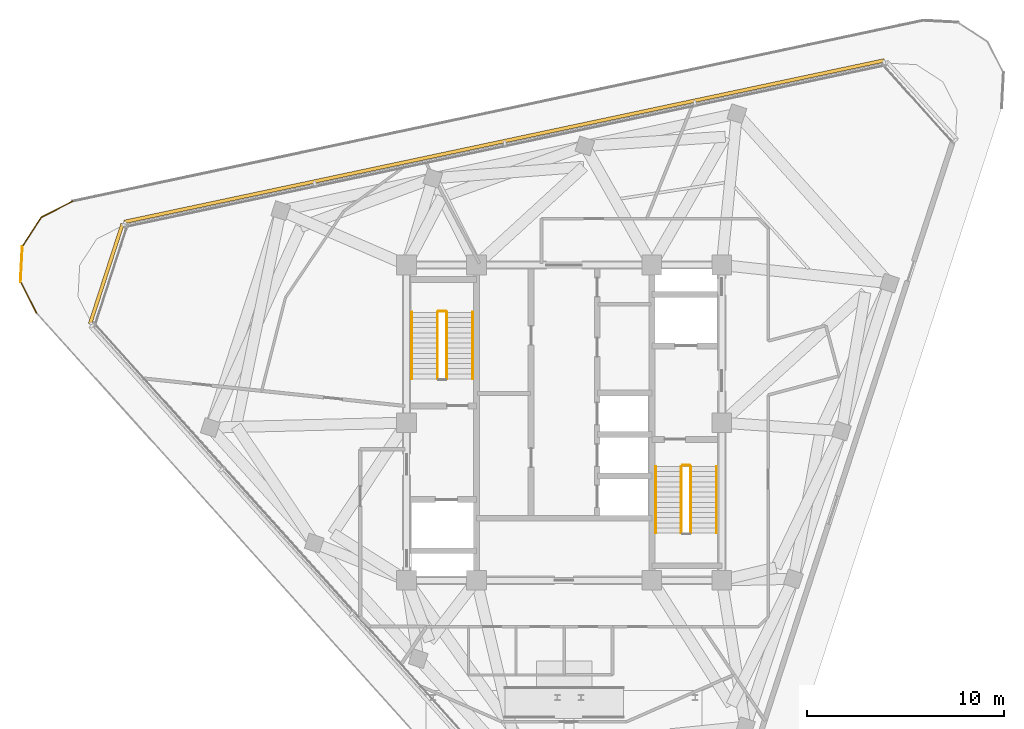
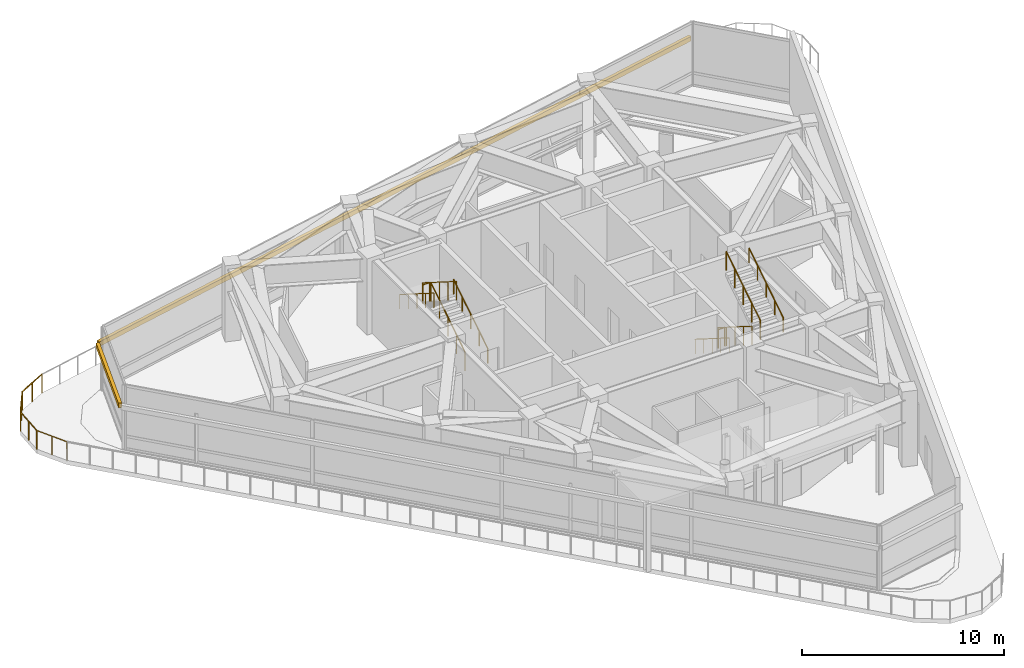
# One storey, part 13 of 15: 14 railings, 2 shading devices.
"""IFC4 building model written with IfcOpenShell, lengths in metres."""

from ifc_helpers import new_model, si_unit, direction, frame, origin, origin_2d, place, context, subcontext, project, spatial, rectangle, circle, extrude, material, layer, layer_set, type_object, element, save


model = new_model("IFC4")

# Units and contexts
model_context = context("Model", 3, precision=1e-05, world=origin(), true_north=direction((0.0, 1.0)))
body_context = subcontext(model_context, "Body", "Model", "MODEL_VIEW")
ifc_project = project(units=[si_unit("LENGTHUNIT", "METRE"), si_unit("AREAUNIT", "SQUARE_METRE"), si_unit("VOLUMEUNIT", "CUBIC_METRE"), si_unit("PLANEANGLEUNIT", "RADIAN"), si_unit("MASSUNIT", "GRAM", prefix="KILO")], contexts=[model_context])

# Site, building, storey
site_placement = place(None, origin())
site = spatial("IfcSite", under=ifc_project, at=site_placement, CompositionType="ELEMENT")
building_placement = place(site_placement, origin())
building = spatial("IfcBuilding", under=site, at=building_placement, Name="Terralouvre Media Tower", CompositionType="ELEMENT")
storey_placement = place(building_placement, frame((0.0, 0.0, 312.800048828125)))
storey = spatial("IfcBuildingStorey", under=building, at=storey_placement, Name="L81", CompositionType="ELEMENT", Elevation=312.800048828125)

# Railings
ifc_material_1 = material(Name="Stainless steel 316 handrail and balustrade", Category="steel")
ifc_layer_1 = layer(ifc_material_1, 0.06005859375, Name="Roof Edge Safety Guardrail GR-ROOF1")
ifc_layer_set_1 = layer_set([ifc_layer_1], Name="Stainless steel 316 handrail and balustrade")
railing_type_1 = type_object("IfcRailingType", Name="Roof Edge Safety Guardrail GR-ROOF1", PredefinedType="GUARDRAIL", material=ifc_layer_set_1)
railing_1_placement = place(storey_placement, frame((-24.941162109375, 11.236328125, 0.0)))
element("IfcRailing", 1, at=railing_1_placement, inside=storey, type_object=railing_type_1, Name="L81 Crown Roof Garden Perimeter Balustrade Edge 11", PredefinedType="GUARDRAIL", context=body_context, shape_type="SweptSolid", body=[
    extrude(circle(Radius=0.02392578125, at=origin_2d()), frame((0.0, 0.0, 1.1259765625), z_axis=(-0.891029033742, -0.453946319545, 0.0), x_axis=(0.453946319545, -0.891029033742, 0.0)), (0.0, 0.0, 1.0), 1.78076171875),
    extrude(circle(Radius=0.02099609375, at=origin_2d()), origin(), (0.0, 0.0, 1.0), 1.101806640625),
    extrude(circle(Radius=0.02099609375, at=origin_2d()), frame((-0.79345703125, -0.404296875, 0.0)), (0.0, 0.0, 1.0), 1.101806640625),
    extrude(circle(Radius=0.02099609375, at=origin_2d()), frame((-1.586669921875, -0.808349609375, 0.0)), (0.0, 0.0, 1.0), 1.101806640625),
])
railing_2_placement = place(storey_placement, frame((-26.52783203125, 10.427978515625, 0.0)))
element("IfcRailing", 2, at=railing_2_placement, inside=storey, type_object=railing_type_1, Name="L81 Crown Roof Garden Perimeter Balustrade Edge 12", PredefinedType="GUARDRAIL", context=body_context, shape_type="SweptSolid", body=[
    extrude(circle(Radius=0.02392578125, at=origin_2d()), frame((0.0, 0.0, 1.1259765625), z_axis=(-0.544597927768, -0.838697261872, 0.0), x_axis=(0.838697261872, -0.544597927768, 0.0)), (0.0, 0.0, 1.0), 1.780517578125),
    extrude(circle(Radius=0.02099609375, at=origin_2d()), origin(), (0.0, 0.0, 1.0), 1.101806640625),
    extrude(circle(Radius=0.02099609375, at=origin_2d()), frame((-0.48486328125, -0.74658203125, 0.0)), (0.0, 0.0, 1.0), 1.101806640625),
    extrude(circle(Radius=0.02099609375, at=origin_2d()), frame((-0.9697265625, -1.493408203125, 0.0)), (0.0, 0.0, 1.0), 1.101806640625),
])
railing_3_placement = place(storey_placement, frame((-27.49755859375, 8.9345703125, 0.0)))
element("IfcRailing", 3, at=railing_3_placement, inside=storey, type_object=railing_type_1, Name="L81 Crown Roof Garden Perimeter Balustrade Edge 13", PredefinedType="GUARDRAIL", context=body_context, shape_type="SweptSolid", body=[
    extrude(circle(Radius=0.02392578125, at=origin_2d()), frame((0.0, 0.0, 1.1259765625), z_axis=(-0.052371741573, -0.998627658682, 0.0), x_axis=(0.998627658682, -0.052371741573, 0.0)), (0.0, 0.0, 1.0), 1.78076171875),
    extrude(circle(Radius=0.02099609375, at=origin_2d()), origin(), (0.0, 0.0, 1.0), 1.101806640625),
    extrude(circle(Radius=0.02099609375, at=origin_2d()), frame((-0.046630859375, -0.88916015625, 0.0)), (0.0, 0.0, 1.0), 1.101806640625),
    extrude(circle(Radius=0.02099609375, at=origin_2d()), frame((-0.09326171875, -1.7783203125, 0.0)), (0.0, 0.0, 1.0), 1.101806640625),
])
railing_4_placement = place(storey_placement, frame((-27.5908203125, 7.15625, 0.0)))
element("IfcRailing", 4, at=railing_4_placement, inside=storey, type_object=railing_type_1, Name="L81 Crown Roof Garden Perimeter Balustrade Edge 14", PredefinedType="GUARDRAIL", context=body_context, shape_type="SweptSolid", body=[
    extrude(circle(Radius=0.02392578125, at=origin_2d()), frame((0.0, 0.0, 1.1259765625), z_axis=(0.453946319545, -0.891029033742, 0.0), x_axis=(0.891029033742, 0.453946319545, 0.0)), (0.0, 0.0, 1.0), 1.78076171875),
    extrude(circle(Radius=0.02099609375, at=origin_2d()), origin(), (0.0, 0.0, 1.0), 1.101806640625),
    extrude(circle(Radius=0.02099609375, at=origin_2d()), frame((0.404296875, -0.79345703125, 0.0)), (0.0, 0.0, 1.0), 1.101806640625),
    extrude(circle(Radius=0.02099609375, at=origin_2d()), frame((0.808349609375, -1.586669921875, 0.0)), (0.0, 0.0, 1.0), 1.101806640625),
])
ifc_material_2 = material(Name="Stainless steel 316 handrail and balustrade", Category="steel")
ifc_layer_2 = layer(ifc_material_2, 0.050048828125, Name="Stair Flight Wall Handrail HR-INT1")
ifc_layer_set_2 = layer_set([ifc_layer_2], Name="Stainless steel 316 handrail and balustrade")
railing_type_2 = type_object("IfcRailingType", Name="Stair Flight Wall Handrail HR-INT1", PredefinedType="HANDRAIL", material=ifc_layer_set_2)
railing_5_placement = place(storey_placement, frame((-4.64990234375, 2.219970703125, 0.164306640625)))
element("IfcRailing", 5, at=railing_5_placement, inside=storey, type_object=railing_type_2, Name="L81 ST-01 stair handrail 1", PredefinedType="HANDRAIL", context=body_context, shape_type="SweptSolid", body=[
    extrude(circle(Radius=0.02392578125, at=origin_2d()), frame((0.0, 0.0, 0.8759765625), z_axis=(0.0, 0.845384418764, 0.534158388974), x_axis=(-1.0, 0.0, 0.0)), (0.0, 0.0, 1.0), 3.998291015625),
    extrude(circle(Radius=0.02099609375, at=origin_2d()), origin(), (0.0, 0.0, 1.0), 0.851806640625),
    extrude(circle(Radius=0.02099609375, at=origin_2d()), frame((0.0, 0.844970703125, 0.533935546875)), (0.0, 0.0, 1.0), 0.851806640625),
    extrude(circle(Radius=0.02099609375, at=origin_2d()), frame((0.0, 1.68994140625, 1.06787109375)), (0.0, 0.0, 1.0), 0.851806640625),
    extrude(circle(Radius=0.02099609375, at=origin_2d()), frame((0.0, 2.53515625, 1.601806640625)), (0.0, 0.0, 1.0), 0.851806640625),
    extrude(circle(Radius=0.02099609375, at=origin_2d()), frame((0.0, 3.380126953125, 2.1357421875)), (0.0, 0.0, 1.0), 0.851806640625),
])
railing_6_placement = place(storey_placement, frame((-7.72998046875, 5.60009765625, 2.46435546875)))
element("IfcRailing", 6, at=railing_6_placement, inside=storey, type_object=railing_type_2, Name="L81 ST-01 stair handrail 2", PredefinedType="HANDRAIL", context=body_context, shape_type="SweptSolid", body=[
    extrude(circle(Radius=0.02392578125, at=origin_2d()), frame((0.0, 0.0, 0.8759765625), z_axis=(0.0, -0.845411991635, 0.534114748345), x_axis=(1.0, 0.0, 0.0)), (0.0, 0.0, 1.0), 3.998291015625),
    extrude(circle(Radius=0.02099609375, at=origin_2d()), origin(), (0.0, 0.0, 1.0), 0.851806640625),
    extrude(circle(Radius=0.02099609375, at=origin_2d()), frame((0.0, -0.844970703125, 0.533935546875)), (0.0, 0.0, 1.0), 0.851806640625),
    extrude(circle(Radius=0.02099609375, at=origin_2d()), frame((0.0, -1.68994140625, 1.06787109375)), (0.0, 0.0, 1.0), 0.851806640625),
    extrude(circle(Radius=0.02099609375, at=origin_2d()), frame((0.0, -2.53515625, 1.6015625)), (0.0, 0.0, 1.0), 0.851806640625),
    extrude(circle(Radius=0.02099609375, at=origin_2d()), frame((0.0, -3.380126953125, 2.135498046875)), (0.0, 0.0, 1.0), 0.851806640625),
])
railing_7_placement = place(storey_placement, frame((4.64990234375, -2.219970703125, 0.164306640625)))
element("IfcRailing", 7, at=railing_7_placement, inside=storey, type_object=railing_type_2, Name="L81 ST-02 stair handrail 1", PredefinedType="HANDRAIL", context=body_context, shape_type="SweptSolid", body=[
    extrude(circle(Radius=0.02392578125, at=origin_2d()), frame((0.0, 0.0, 0.8759765625), z_axis=(0.0, -0.845384418764, 0.534158388974), x_axis=(1.0, 0.0, 0.0)), (0.0, 0.0, 1.0), 3.998291015625),
    extrude(circle(Radius=0.02099609375, at=origin_2d()), origin(), (0.0, 0.0, 1.0), 0.851806640625),
    extrude(circle(Radius=0.02099609375, at=origin_2d()), frame((0.0, -0.844970703125, 0.533935546875)), (0.0, 0.0, 1.0), 0.851806640625),
    extrude(circle(Radius=0.02099609375, at=origin_2d()), frame((0.0, -1.68994140625, 1.06787109375)), (0.0, 0.0, 1.0), 0.851806640625),
    extrude(circle(Radius=0.02099609375, at=origin_2d()), frame((0.0, -2.53515625, 1.601806640625)), (0.0, 0.0, 1.0), 0.851806640625),
    extrude(circle(Radius=0.02099609375, at=origin_2d()), frame((0.0, -3.380126953125, 2.1357421875)), (0.0, 0.0, 1.0), 0.851806640625),
])
railing_8_placement = place(storey_placement, frame((7.72998046875, -5.60009765625, 2.46435546875)))
element("IfcRailing", 8, at=railing_8_placement, inside=storey, type_object=railing_type_2, Name="L81 ST-02 stair handrail 2", PredefinedType="HANDRAIL", context=body_context, shape_type="SweptSolid", body=[
    extrude(circle(Radius=0.02392578125, at=origin_2d()), frame((0.0, 0.0, 0.8759765625), z_axis=(0.0, 0.845411991635, 0.534114748345), x_axis=(-1.0, 0.0, 0.0)), (0.0, 0.0, 1.0), 3.998291015625),
    extrude(circle(Radius=0.02099609375, at=origin_2d()), origin(), (0.0, 0.0, 1.0), 0.851806640625),
    extrude(circle(Radius=0.02099609375, at=origin_2d()), frame((0.0, 0.844970703125, 0.533935546875)), (0.0, 0.0, 1.0), 0.851806640625),
    extrude(circle(Radius=0.02099609375, at=origin_2d()), frame((0.0, 1.68994140625, 1.06787109375)), (0.0, 0.0, 1.0), 0.851806640625),
    extrude(circle(Radius=0.02099609375, at=origin_2d()), frame((0.0, 2.53515625, 1.6015625)), (0.0, 0.0, 1.0), 0.851806640625),
    extrude(circle(Radius=0.02099609375, at=origin_2d()), frame((0.0, 3.380126953125, 2.135498046875)), (0.0, 0.0, 1.0), 0.851806640625),
])
ifc_material_3 = material(Name="Stainless steel 316 handrail and balustrade", Category="steel")
ifc_layer_3 = layer(ifc_material_3, 0.050048828125, Name="Stairwell Safety Guardrail GR-INT1")
ifc_layer_set_3 = layer_set([ifc_layer_3], Name="Stainless steel 316 handrail and balustrade")
railing_type_3 = type_object("IfcRailingType", Name="Stairwell Safety Guardrail GR-INT1", PredefinedType="GUARDRAIL", material=ifc_layer_set_3)
railing_9_placement = place(storey_placement, frame((-5.949951171875, 2.219970703125, 0.164306640625)))
element("IfcRailing", 9, at=railing_9_placement, inside=storey, type_object=railing_type_3, Name="L81 ST-01 stair guard 1", PredefinedType="GUARDRAIL", context=body_context, shape_type="SweptSolid", body=[
    extrude(circle(Radius=0.02392578125, at=origin_2d()), frame((0.0, 0.0, 1.1259765625), z_axis=(0.0, 0.845384418764, 0.534158388974), x_axis=(-1.0, 0.0, 0.0)), (0.0, 0.0, 1.0), 3.998291015625),
    extrude(circle(Radius=0.02099609375, at=origin_2d()), origin(), (0.0, 0.0, 1.0), 1.101806640625),
    extrude(circle(Radius=0.02099609375, at=origin_2d()), frame((0.0, 0.844970703125, 0.533935546875)), (0.0, 0.0, 1.0), 1.101806640625),
    extrude(circle(Radius=0.02099609375, at=origin_2d()), frame((0.0, 1.68994140625, 1.06787109375)), (0.0, 0.0, 1.0), 1.101806640625),
    extrude(circle(Radius=0.02099609375, at=origin_2d()), frame((0.0, 2.53515625, 1.601806640625)), (0.0, 0.0, 1.0), 1.101806640625),
    extrude(circle(Radius=0.02099609375, at=origin_2d()), frame((0.0, 3.380126953125, 2.1357421875)), (0.0, 0.0, 1.0), 1.101806640625),
])
railing_10_placement = place(storey_placement, frame((-6.0, 5.64990234375, 2.300048828125)))
element("IfcRailing", 10, at=railing_10_placement, inside=storey, type_object=railing_type_3, Name="L81 ST-01 stair guard 2", PredefinedType="GUARDRAIL", context=body_context, shape_type="SweptSolid", body=[
    extrude(circle(Radius=0.02392578125, at=origin_2d()), frame((0.0, 0.0, 1.1259765625), z_axis=(-1.0, 0.0, 0.0), x_axis=(0.0, -1.0, 0.0)), (0.0, 0.0, 1.0), 0.3798828125),
    extrude(circle(Radius=0.02099609375, at=origin_2d()), origin(), (0.0, 0.0, 1.0), 1.101806640625),
    extrude(circle(Radius=0.02099609375, at=origin_2d()), frame((-0.3798828125, 0.0, 0.0)), (0.0, 0.0, 1.0), 1.101806640625),
])
railing_11_placement = place(storey_placement, frame((-6.429931640625, 5.60009765625, 2.46435546875)))
element("IfcRailing", 11, at=railing_11_placement, inside=storey, type_object=railing_type_3, Name="L81 ST-01 stair guard 3", PredefinedType="GUARDRAIL", context=body_context, shape_type="SweptSolid", body=[
    extrude(circle(Radius=0.02392578125, at=origin_2d()), frame((0.0, 0.0, 1.1259765625), z_axis=(0.0, -0.845411991635, 0.534114748345), x_axis=(1.0, 0.0, 0.0)), (0.0, 0.0, 1.0), 3.998291015625),
    extrude(circle(Radius=0.02099609375, at=origin_2d()), origin(), (0.0, 0.0, 1.0), 1.101806640625),
    extrude(circle(Radius=0.02099609375, at=origin_2d()), frame((0.0, -0.844970703125, 0.533935546875)), (0.0, 0.0, 1.0), 1.101806640625),
    extrude(circle(Radius=0.02099609375, at=origin_2d()), frame((0.0, -1.68994140625, 1.06787109375)), (0.0, 0.0, 1.0), 1.101806640625),
    extrude(circle(Radius=0.02099609375, at=origin_2d()), frame((0.0, -2.53515625, 1.6015625)), (0.0, 0.0, 1.0), 1.101806640625),
    extrude(circle(Radius=0.02099609375, at=origin_2d()), frame((0.0, -3.380126953125, 2.135498046875)), (0.0, 0.0, 1.0), 1.101806640625),
])
railing_12_placement = place(storey_placement, frame((5.949951171875, -2.219970703125, 0.164306640625)))
element("IfcRailing", 12, at=railing_12_placement, inside=storey, type_object=railing_type_3, Name="L81 ST-02 stair guard 1", PredefinedType="GUARDRAIL", context=body_context, shape_type="SweptSolid", body=[
    extrude(circle(Radius=0.02392578125, at=origin_2d()), frame((0.0, 0.0, 1.1259765625), z_axis=(0.0, -0.845384418764, 0.534158388974), x_axis=(1.0, 0.0, 0.0)), (0.0, 0.0, 1.0), 3.998291015625),
    extrude(circle(Radius=0.02099609375, at=origin_2d()), origin(), (0.0, 0.0, 1.0), 1.101806640625),
    extrude(circle(Radius=0.02099609375, at=origin_2d()), frame((0.0, -0.844970703125, 0.533935546875)), (0.0, 0.0, 1.0), 1.101806640625),
    extrude(circle(Radius=0.02099609375, at=origin_2d()), frame((0.0, -1.68994140625, 1.06787109375)), (0.0, 0.0, 1.0), 1.101806640625),
    extrude(circle(Radius=0.02099609375, at=origin_2d()), frame((0.0, -2.53515625, 1.601806640625)), (0.0, 0.0, 1.0), 1.101806640625),
    extrude(circle(Radius=0.02099609375, at=origin_2d()), frame((0.0, -3.380126953125, 2.1357421875)), (0.0, 0.0, 1.0), 1.101806640625),
])
railing_13_placement = place(storey_placement, frame((6.429931640625, -5.60009765625, 2.46435546875)))
element("IfcRailing", 13, at=railing_13_placement, inside=storey, type_object=railing_type_3, Name="L81 ST-02 stair guard 3", PredefinedType="GUARDRAIL", context=body_context, shape_type="SweptSolid", body=[
    extrude(circle(Radius=0.02392578125, at=origin_2d()), frame((0.0, 0.0, 1.1259765625), z_axis=(0.0, 0.845411991635, 0.534114748345), x_axis=(-1.0, 0.0, 0.0)), (0.0, 0.0, 1.0), 3.998291015625),
    extrude(circle(Radius=0.02099609375, at=origin_2d()), origin(), (0.0, 0.0, 1.0), 1.101806640625),
    extrude(circle(Radius=0.02099609375, at=origin_2d()), frame((0.0, 0.844970703125, 0.533935546875)), (0.0, 0.0, 1.0), 1.101806640625),
    extrude(circle(Radius=0.02099609375, at=origin_2d()), frame((0.0, 1.68994140625, 1.06787109375)), (0.0, 0.0, 1.0), 1.101806640625),
    extrude(circle(Radius=0.02099609375, at=origin_2d()), frame((0.0, 2.53515625, 1.6015625)), (0.0, 0.0, 1.0), 1.101806640625),
    extrude(circle(Radius=0.02099609375, at=origin_2d()), frame((0.0, 3.380126953125, 2.135498046875)), (0.0, 0.0, 1.0), 1.101806640625),
])
railing_14_placement = place(storey_placement, frame((6.0, -2.169921875, 0.0)))
element("IfcRailing", 14, at=railing_14_placement, inside=storey, type_object=railing_type_3, Name="L81 ST-02 stair guard 4", PredefinedType="GUARDRAIL", context=body_context, shape_type="SweptSolid", body=[
    extrude(circle(Radius=0.02392578125, at=origin_2d()), frame((0.0, 0.0, 1.1259765625), z_axis=(1.0, 0.0, 0.0), x_axis=(0.0, 1.0, 0.0)), (0.0, 0.0, 1.0), 0.3798828125),
    extrude(circle(Radius=0.02099609375, at=origin_2d()), origin(), (0.0, 0.0, 1.0), 1.101806640625),
    extrude(circle(Radius=0.02099609375, at=origin_2d()), frame((0.3798828125, 0.0, 0.0)), (0.0, 0.0, 1.0), 1.101806640625),
])

# Shading devices
ifc_material_4 = material(Name="Extruded terracotta baguette sunshade louvres", Category="masonry")
shading_device_type = type_object("IfcShadingDeviceType", Name="Terracotta Baguette Sunshade Louvre Screen TB-LV1", PredefinedType="USERDEFINED", material=ifc_material_4)
shading_device_1_placement = place(storey_placement, frame((-3.03662109375, 14.2861328125, 2.5693359375), z_axis=(0.0, 0.0, 1.0), x_axis=(-0.978147595164, -0.207911717023, 0.0)))
element("IfcShadingDevice", 15, at=shading_device_1_placement, inside=storey, type_object=shading_device_type, Name="CW-L81-F1 Terracotta Baguette Sunshade Louvre", ObjectType="BAGUETTE", PredefinedType="USERDEFINED", context=body_context, shape_type="SweptSolid", body=[
    extrude(rectangle(XDim=39.43994140625, YDim=0.179931640625, at=origin_2d()), origin(), (0.0, 0.0, 1.0), 0.280029296875),
])
shading_device_2_placement = place(storey_placement, frame((-23.23486328125, 7.549560546875, 2.5693359375), z_axis=(0.0, 0.0, 1.0), x_axis=(-0.309017703105, -0.951056286014, 0.0)))
element("IfcShadingDevice", 16, at=shading_device_2_placement, inside=storey, type_object=shading_device_type, Name="CW-L81-C2 Terracotta Baguette Sunshade Louvre", ObjectType="BAGUETTE", PredefinedType="USERDEFINED", context=body_context, shape_type="SweptSolid", body=[
    extrude(rectangle(XDim=5.334716796875, YDim=0.179931640625, at=origin_2d()), origin(), (0.0, 0.0, 1.0), 0.280029296875),
])

save(model, "model.ifc")
